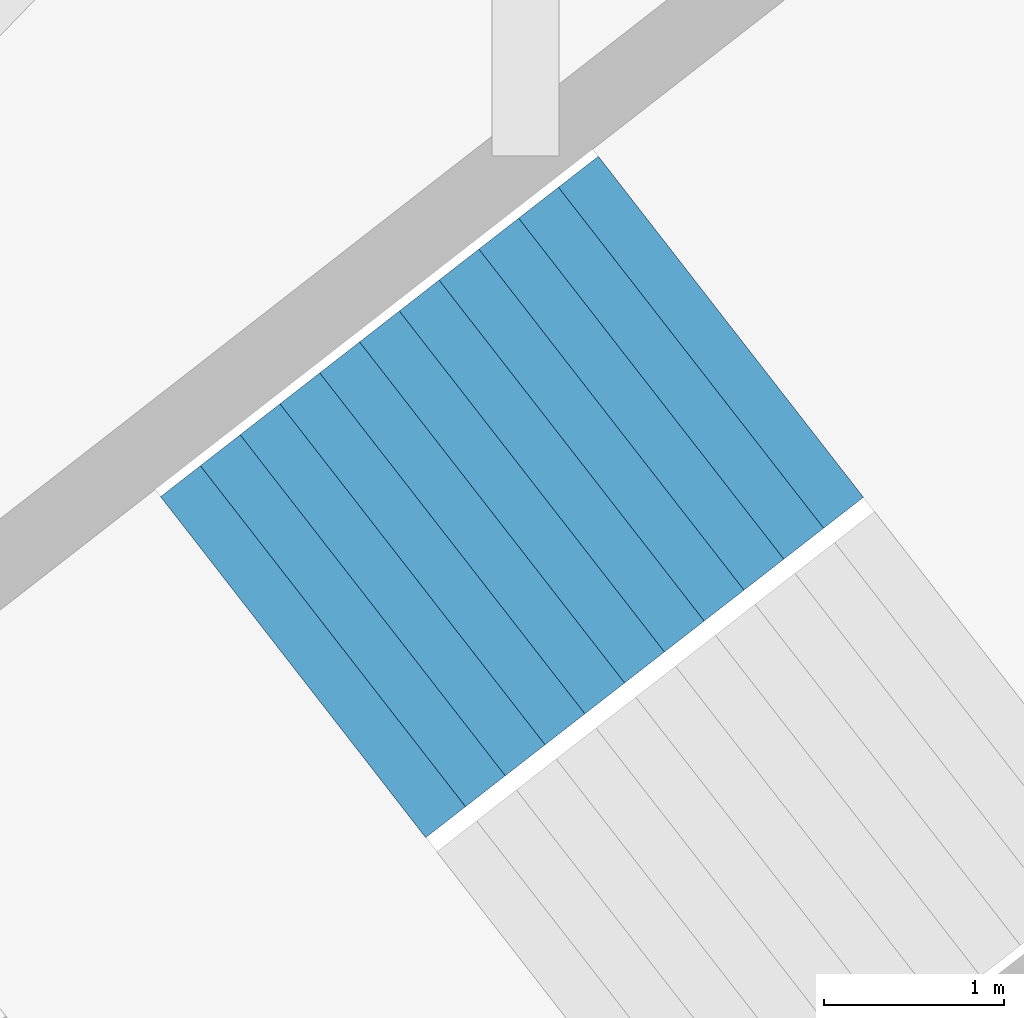
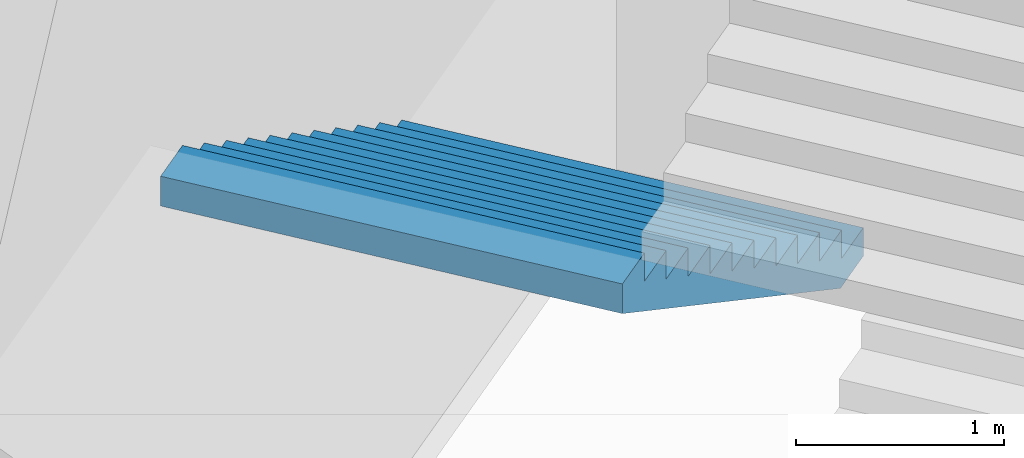
# One storey, part 64 of 74: 1 stair flight, 1 element without a shape of its own.
"""IFC4 building model written with IfcOpenShell, lengths in metres."""

from ifc_helpers import new_model, si_unit, direction, frame, origin, place, context, subcontext, project, spatial, triangles, material, type_object, element, aggregate, save


model = new_model("IFC4")

# Units and contexts
model_context = context("Model", 3, precision=1e-05, world=origin(), true_north=direction((0.0, 1.0)))
body_context = subcontext(model_context, "Body", "Model", "MODEL_VIEW")
ifc_project = project(units=[si_unit("LENGTHUNIT", "METRE"), si_unit("AREAUNIT", "SQUARE_METRE"), si_unit("VOLUMEUNIT", "CUBIC_METRE"), si_unit("PLANEANGLEUNIT", "RADIAN"), si_unit("MASSUNIT", "GRAM", prefix="KILO")], contexts=[model_context])

# Site, building, storey
site_placement = place(None, origin())
site = spatial("IfcSite", under=ifc_project, at=site_placement, CompositionType="ELEMENT")
building_placement = place(site_placement, origin())
building = spatial("IfcBuilding", under=site, at=building_placement, Name="Lantaw Convention Tower", CompositionType="ELEMENT")
storey_placement = place(building_placement, frame((0.0, 0.0, 6.5)))
storey = spatial("IfcBuildingStorey", under=building, at=storey_placement, Name="L01", CompositionType="ELEMENT", Elevation=6.5)

# Stair, stair flight
ifc_material = material(Name="Concrete C35/45", Category="concrete")
stair_type = type_object("IfcStairType", Name="Exit stair 2400 riser 166.67 in 4 flights", PredefinedType="HALF_TURN_STAIR", material=ifc_material)
stair_placement = place(storey_placement, origin())
stair = element("IfcStair", 1, at=stair_placement, inside=storey, type_object=stair_type, Name="Podium exit stair P3 L01", PredefinedType="HALF_TURN_STAIR")
stair_flight_type = type_object("IfcStairFlightType", Name="Stair flight 2400 riser 166.67", PredefinedType="STRAIGHT", material=ifc_material)
stair_flight_placement = place(storey_placement, frame((30.390869140625, 25.21875, 2.0), z_axis=(0.0, 0.0, 1.0), x_axis=(-0.789378829664, -0.613906396186, 0.0)))
stair_flight = element("IfcStairFlight", 2, at=stair_flight_placement, type_object=stair_flight_type, Name="P3 flight 2", NumberOfRisers=12, NumberOfTreads=11, PredefinedType="STRAIGHT", RiserHeight=0.166666667, TreadLength=0.28, context=body_context, shape_type="Tessellation", body=[
    triangles([(0.0, 1.199951171875, 0.0), (0.0, 1.199951171875, 0.166666667), (0.28, 1.199951171875, 0.0), (0.28, 1.199951171875, 0.166666667), (0.28, 1.199951171875, 0.333333334), (0.29307345806906726, 1.199951171875, 0.0), (0.29307345806906726, 1.199951171875, 0.333333334), (0.56, 1.199951171875, 0.15888484670522965), (0.56, 1.199951171875, 0.333333334), (0.56, 1.199951171875, 0.500000001), (0.8400000000000001, 1.199951171875, 0.3255515137052296), (0.8400000000000001, 1.199951171875, 0.500000001), (0.8400000000000001, 1.199951171875, 0.666666668), (1.12, 1.199951171875, 0.4922181807052296), (1.12, 1.199951171875, 0.666666668), (1.12, 1.199951171875, 0.833333335), (1.4000000000000001, 1.199951171875, 0.6588848477052296), (1.4000000000000001, 1.199951171875, 0.833333335), (1.4000000000000001, 1.199951171875, 1.000000002), (1.6800000000000002, 1.199951171875, 0.8255515147052296), (1.6800000000000002, 1.199951171875, 1.000000002), (1.6800000000000002, 1.199951171875, 1.166666669), (1.9600000000000002, 1.199951171875, 0.9922181817052296), (1.9600000000000002, 1.199951171875, 1.166666669), (1.9600000000000002, 1.199951171875, 1.333333336), (2.24, 1.199951171875, 1.1588848487052295), (2.24, 1.199951171875, 1.333333336), (2.24, 1.199951171875, 1.5000000029999998), (2.5200000000000005, 1.199951171875, 1.3255515157052296), (2.5200000000000005, 1.199951171875, 1.5000000029999998), (2.5200000000000005, 1.199951171875, 1.66666667), (2.8000000000000003, 1.199951171875, 1.4922181827052294), (2.8000000000000003, 1.199951171875, 1.66666667), (2.8000000000000003, 1.199951171875, 1.833333337), (3.08, 1.199951171875, 1.6588848497052293), (3.08, 1.199951171875, 1.833333337), (0.0, -1.199951171875, 0.0), (0.0, -1.199951171875, 0.166666667), (0.28, -1.199951171875, 0.0), (0.28, -1.199951171875, 0.166666667), (0.28, -1.199951171875, 0.333333334), (0.29307345806906726, -1.199951171875, 0.0), (0.29307345806906726, -1.199951171875, 0.333333334), (0.56, -1.199951171875, 0.15888484670522965), (0.56, -1.199951171875, 0.333333334), (0.56, -1.199951171875, 0.500000001), (0.8400000000000001, -1.199951171875, 0.3255515137052296), (0.8400000000000001, -1.199951171875, 0.500000001), (0.8400000000000001, -1.199951171875, 0.666666668), (1.12, -1.199951171875, 0.4922181807052296), (1.12, -1.199951171875, 0.666666668), (1.12, -1.199951171875, 0.833333335), (1.4000000000000001, -1.199951171875, 0.6588848477052296), (1.4000000000000001, -1.199951171875, 0.833333335), (1.4000000000000001, -1.199951171875, 1.000000002), (1.6800000000000002, -1.199951171875, 0.8255515147052296), (1.6800000000000002, -1.199951171875, 1.000000002), (1.6800000000000002, -1.199951171875, 1.166666669), (1.9600000000000002, -1.199951171875, 0.9922181817052296), (1.9600000000000002, -1.199951171875, 1.166666669), (1.9600000000000002, -1.199951171875, 1.333333336), (2.24, -1.199951171875, 1.1588848487052295), (2.24, -1.199951171875, 1.333333336), (2.24, -1.199951171875, 1.5000000029999998), (2.5200000000000005, -1.199951171875, 1.3255515157052296), (2.5200000000000005, -1.199951171875, 1.5000000029999998), (2.5200000000000005, -1.199951171875, 1.66666667), (2.8000000000000003, -1.199951171875, 1.4922181827052294), (2.8000000000000003, -1.199951171875, 1.66666667), (2.8000000000000003, -1.199951171875, 1.833333337), (3.08, -1.199951171875, 1.6588848497052293), (3.08, -1.199951171875, 1.833333337), (0.0, 0.239990234375, 0.166666667), (0.0, 0.239990234375, 0.0), (0.0, 0.1199951171875, 0.166666667), (0.0, 0.1199951171875, 0.0), (0.0, 0.0, 0.166666667), (0.0, 0.0, 0.0), (0.0, -0.1199951171875, 0.166666667), (0.0, -0.1199951171875, 0.0), (0.0, -0.239990234375, 0.166666667), (0.0, -0.239990234375, 0.0), (0.28, 0.239990234375, 0.333333334), (0.28, 0.239990234375, 0.166666667), (0.28, 0.1199951171875, 0.333333334), (0.28, 0.1199951171875, 0.166666667), (0.28, 0.0, 0.333333334), (0.28, 0.0, 0.166666667), (0.28, -0.1199951171875, 0.333333334), (0.28, -0.1199951171875, 0.166666667), (0.28, -0.239990234375, 0.333333334), (0.28, -0.239990234375, 0.166666667), (0.56, 0.239990234375, 0.500000001), (0.56, 0.239990234375, 0.333333334), (0.56, 0.1199951171875, 0.500000001), (0.56, 0.1199951171875, 0.333333334), (0.56, 0.0, 0.500000001), (0.56, 0.0, 0.333333334), (0.56, -0.1199951171875, 0.500000001), (0.56, -0.1199951171875, 0.333333334), (0.56, -0.239990234375, 0.500000001), (0.56, -0.239990234375, 0.333333334), (0.8400000000000001, 0.239990234375, 0.666666668), (0.8400000000000001, 0.239990234375, 0.500000001), (0.8400000000000001, 0.1199951171875, 0.666666668), (0.8400000000000001, 0.1199951171875, 0.500000001), (0.8400000000000001, 0.0, 0.666666668), (0.8400000000000001, 0.0, 0.500000001), (0.8400000000000001, -0.1199951171875, 0.666666668), (0.8400000000000001, -0.1199951171875, 0.500000001), (0.8400000000000001, -0.239990234375, 0.666666668), (0.8400000000000001, -0.239990234375, 0.500000001), (1.12, 0.239990234375, 0.833333335), (1.12, 0.239990234375, 0.666666668), (1.12, 0.1199951171875, 0.833333335), (1.12, 0.1199951171875, 0.666666668), (1.12, 0.0, 0.833333335), (1.12, 0.0, 0.666666668), (1.12, -0.1199951171875, 0.833333335), (1.12, -0.1199951171875, 0.666666668), (1.12, -0.239990234375, 0.833333335), (1.12, -0.239990234375, 0.666666668), (1.4000000000000001, 0.239990234375, 1.000000002), (1.4000000000000001, 0.239990234375, 0.833333335), (1.4000000000000001, 0.1199951171875, 1.000000002), (1.4000000000000001, 0.1199951171875, 0.833333335), (1.4000000000000001, 0.0, 1.000000002), (1.4000000000000001, 0.0, 0.833333335), (1.4000000000000001, -0.1199951171875, 1.000000002), (1.4000000000000001, -0.1199951171875, 0.833333335), (1.4000000000000001, -0.239990234375, 1.000000002), (1.4000000000000001, -0.239990234375, 0.833333335), (1.6800000000000002, 0.239990234375, 1.166666669), (1.6800000000000002, 0.239990234375, 1.000000002), (1.6800000000000002, 0.1199951171875, 1.166666669), (1.6800000000000002, 0.1199951171875, 1.000000002), (1.6800000000000002, 0.0, 1.166666669), (1.6800000000000002, 0.0, 1.000000002), (1.6800000000000002, -0.1199951171875, 1.166666669), (1.6800000000000002, -0.1199951171875, 1.000000002), (1.6800000000000002, -0.239990234375, 1.166666669), (1.6800000000000002, -0.239990234375, 1.000000002), (1.9600000000000002, 0.239990234375, 1.333333336), (1.9600000000000002, 0.239990234375, 1.166666669), (1.9600000000000002, 0.1199951171875, 1.333333336), (1.9600000000000002, 0.1199951171875, 1.166666669), (1.9600000000000002, 0.0, 1.333333336), (1.9600000000000002, 0.0, 1.166666669), (1.9600000000000002, -0.1199951171875, 1.333333336), (1.9600000000000002, -0.1199951171875, 1.166666669), (1.9600000000000002, -0.239990234375, 1.333333336), (1.9600000000000002, -0.239990234375, 1.166666669), (2.24, 0.239990234375, 1.5000000029999998), (2.24, 0.239990234375, 1.333333336), (2.24, 0.1199951171875, 1.5000000029999998), (2.24, 0.1199951171875, 1.333333336), (2.24, 0.0, 1.5000000029999998), (2.24, 0.0, 1.333333336), (2.24, -0.1199951171875, 1.5000000029999998), (2.24, -0.1199951171875, 1.333333336), (2.24, -0.239990234375, 1.5000000029999998), (2.24, -0.239990234375, 1.333333336), (2.5200000000000005, 0.239990234375, 1.66666667), (2.5200000000000005, 0.239990234375, 1.5000000029999998), (2.5200000000000005, 0.1199951171875, 1.66666667), (2.5200000000000005, 0.1199951171875, 1.5000000029999998), (2.5200000000000005, 0.0, 1.66666667), (2.5200000000000005, 0.0, 1.5000000029999998), (2.5200000000000005, -0.1199951171875, 1.66666667), (2.5200000000000005, -0.1199951171875, 1.5000000029999998), (2.5200000000000005, -0.239990234375, 1.66666667), (2.5200000000000005, -0.239990234375, 1.5000000029999998), (2.8000000000000003, 0.239990234375, 1.833333337), (2.8000000000000003, 0.239990234375, 1.66666667), (2.8000000000000003, 0.1199951171875, 1.833333337), (2.8000000000000003, 0.1199951171875, 1.66666667), (2.8000000000000003, 0.0, 1.833333337), (2.8000000000000003, 0.0, 1.66666667), (2.8000000000000003, -0.1199951171875, 1.833333337), (2.8000000000000003, -0.1199951171875, 1.66666667), (2.8000000000000003, -0.239990234375, 1.833333337), (2.8000000000000003, -0.239990234375, 1.66666667), (0.29307345806906726, 0.239990234375, 0.333333334), (0.29307345806906726, 0.1199951171875, 0.333333334), (0.29307345806906726, 0.0, 0.333333334), (0.29307345806906726, -0.1199951171875, 0.333333334), (0.29307345806906726, -0.239990234375, 0.333333334), (3.08, 0.239990234375, 1.833333337), (3.08, 0.1199951171875, 1.833333337), (3.08, 0.0, 1.833333337), (3.08, -0.1199951171875, 1.833333337), (3.08, -0.239990234375, 1.833333337), (3.08, 0.239990234375, 1.6588848497052293), (3.08, 0.1199951171875, 1.6588848497052293), (3.08, 0.0, 1.6588848497052293), (3.08, -0.1199951171875, 1.6588848497052293), (3.08, -0.239990234375, 1.6588848497052293), (2.8000000000000003, 0.239990234375, 1.4922181827052294), (2.8000000000000003, 0.1199951171875, 1.4922181827052294), (2.8000000000000003, 0.0, 1.4922181827052294), (2.8000000000000003, -0.1199951171875, 1.4922181827052294), (2.8000000000000003, -0.239990234375, 1.4922181827052294), (2.5200000000000005, 0.239990234375, 1.3255515157052296), (2.5200000000000005, 0.1199951171875, 1.3255515157052296), (2.5200000000000005, 0.0, 1.3255515157052296), (2.5200000000000005, -0.1199951171875, 1.3255515157052296), (2.5200000000000005, -0.239990234375, 1.3255515157052296), (2.24, 0.239990234375, 1.1588848487052295), (2.24, 0.1199951171875, 1.1588848487052295), (2.24, 0.0, 1.1588848487052295), (2.24, -0.1199951171875, 1.1588848487052295), (2.24, -0.239990234375, 1.1588848487052295), (1.9600000000000002, 0.239990234375, 0.9922181817052296), (1.9600000000000002, 0.1199951171875, 0.9922181817052296), (1.9600000000000002, 0.0, 0.9922181817052296), (1.9600000000000002, -0.1199951171875, 0.9922181817052296), (1.9600000000000002, -0.239990234375, 0.9922181817052296), (1.6800000000000002, 0.239990234375, 0.8255515147052296), (1.6800000000000002, 0.1199951171875, 0.8255515147052296), (1.6800000000000002, 0.0, 0.8255515147052296), (1.6800000000000002, -0.1199951171875, 0.8255515147052296), (1.6800000000000002, -0.239990234375, 0.8255515147052296), (1.4000000000000001, 0.239990234375, 0.6588848477052296), (1.4000000000000001, 0.1199951171875, 0.6588848477052296), (1.4000000000000001, 0.0, 0.6588848477052296), (1.4000000000000001, -0.1199951171875, 0.6588848477052296), (1.4000000000000001, -0.239990234375, 0.6588848477052296), (1.12, 0.239990234375, 0.4922181807052296), (1.12, 0.1199951171875, 0.4922181807052296), (1.12, 0.0, 0.4922181807052296), (1.12, -0.1199951171875, 0.4922181807052296), (1.12, -0.239990234375, 0.4922181807052296), (0.8400000000000001, 0.239990234375, 0.3255515137052296), (0.8400000000000001, 0.1199951171875, 0.3255515137052296), (0.8400000000000001, 0.0, 0.3255515137052296), (0.8400000000000001, -0.1199951171875, 0.3255515137052296), (0.8400000000000001, -0.239990234375, 0.3255515137052296), (0.56, 0.239990234375, 0.15888484670522965), (0.56, 0.1199951171875, 0.15888484670522965), (0.56, 0.0, 0.15888484670522965), (0.56, -0.1199951171875, 0.15888484670522965), (0.56, -0.239990234375, 0.15888484670522965), (0.29307345806906726, 0.239990234375, 0.0), (0.29307345806906726, 0.1199951171875, 0.0), (0.29307345806906726, 0.0, 0.0), (0.29307345806906726, -0.1199951171875, 0.0), (0.29307345806906726, -0.239990234375, 0.0), (0.28, 0.239990234375, 0.0), (0.28, 0.1199951171875, 0.0), (0.28, 0.0, 0.0), (0.28, -0.1199951171875, 0.0), (0.28, -0.239990234375, 0.0)], [[1, 4, 3], [1, 2, 4], [3, 4, 6], [4, 7, 6], [4, 5, 7], [6, 9, 8], [6, 7, 9], [8, 9, 11], [9, 12, 11], [9, 10, 12], [11, 12, 14], [12, 15, 14], [12, 13, 15], [14, 15, 17], [15, 18, 17], [15, 16, 18], [17, 18, 20], [18, 21, 20], [18, 19, 21], [20, 21, 23], [21, 24, 23], [21, 22, 24], [23, 24, 26], [24, 27, 26], [24, 25, 27], [26, 27, 29], [27, 30, 29], [27, 28, 30], [29, 30, 32], [30, 33, 32], [30, 31, 33], [32, 33, 35], [33, 36, 35], [33, 34, 36], [37, 39, 40], [37, 40, 38], [39, 42, 40], [40, 42, 43], [40, 43, 41], [42, 44, 45], [42, 45, 43], [44, 47, 45], [45, 47, 48], [45, 48, 46], [47, 50, 48], [48, 50, 51], [48, 51, 49], [50, 53, 51], [51, 53, 54], [51, 54, 52], [53, 56, 54], [54, 56, 57], [54, 57, 55], [56, 59, 57], [57, 59, 60], [57, 60, 58], [59, 62, 60], [60, 62, 63], [60, 63, 61], [62, 65, 63], [63, 65, 66], [63, 66, 64], [65, 68, 66], [66, 68, 69], [66, 69, 67], [68, 71, 69], [69, 71, 72], [69, 72, 70], [1, 73, 2], [1, 74, 73], [74, 75, 73], [74, 76, 75], [76, 77, 75], [76, 78, 77], [78, 79, 77], [78, 80, 79], [80, 81, 79], [80, 82, 81], [82, 38, 81], [82, 37, 38], [4, 83, 5], [4, 84, 83], [84, 85, 83], [84, 86, 85], [86, 87, 85], [86, 88, 87], [88, 89, 87], [88, 90, 89], [90, 91, 89], [90, 92, 91], [92, 41, 91], [92, 40, 41], [9, 93, 10], [9, 94, 93], [94, 95, 93], [94, 96, 95], [96, 97, 95], [96, 98, 97], [98, 99, 97], [98, 100, 99], [100, 101, 99], [100, 102, 101], [102, 46, 101], [102, 45, 46], [12, 103, 13], [12, 104, 103], [104, 105, 103], [104, 106, 105], [106, 107, 105], [106, 108, 107], [108, 109, 107], [108, 110, 109], [110, 111, 109], [110, 112, 111], [112, 49, 111], [112, 48, 49], [15, 113, 16], [15, 114, 113], [114, 115, 113], [114, 116, 115], [116, 117, 115], [116, 118, 117], [118, 119, 117], [118, 120, 119], [120, 121, 119], [120, 122, 121], [122, 52, 121], [122, 51, 52], [18, 123, 19], [18, 124, 123], [124, 125, 123], [124, 126, 125], [126, 127, 125], [126, 128, 127], [128, 129, 127], [128, 130, 129], [130, 131, 129], [130, 132, 131], [132, 55, 131], [132, 54, 55], [21, 133, 22], [21, 134, 133], [134, 135, 133], [134, 136, 135], [136, 137, 135], [136, 138, 137], [138, 139, 137], [138, 140, 139], [140, 141, 139], [140, 142, 141], [142, 58, 141], [142, 57, 58], [24, 143, 25], [24, 144, 143], [144, 145, 143], [144, 146, 145], [146, 147, 145], [146, 148, 147], [148, 149, 147], [148, 150, 149], [150, 151, 149], [150, 152, 151], [152, 61, 151], [152, 60, 61], [27, 153, 28], [27, 154, 153], [154, 155, 153], [154, 156, 155], [156, 157, 155], [156, 158, 157], [158, 159, 157], [158, 160, 159], [160, 161, 159], [160, 162, 161], [162, 64, 161], [162, 63, 64], [30, 163, 31], [30, 164, 163], [164, 165, 163], [164, 166, 165], [166, 167, 165], [166, 168, 167], [168, 169, 167], [168, 170, 169], [170, 171, 169], [170, 172, 171], [172, 67, 171], [172, 66, 67], [33, 173, 34], [33, 174, 173], [174, 175, 173], [174, 176, 175], [176, 177, 175], [176, 178, 177], [178, 179, 177], [178, 180, 179], [180, 181, 179], [180, 182, 181], [182, 70, 181], [182, 69, 70], [2, 84, 4], [2, 73, 84], [73, 86, 84], [73, 75, 86], [75, 88, 86], [75, 77, 88], [77, 90, 88], [77, 79, 90], [79, 92, 90], [79, 81, 92], [81, 40, 92], [81, 38, 40], [5, 183, 7], [5, 83, 183], [83, 184, 183], [83, 85, 184], [85, 185, 184], [85, 87, 185], [87, 186, 185], [87, 89, 186], [89, 187, 186], [89, 91, 187], [91, 43, 187], [91, 41, 43], [7, 94, 9], [7, 183, 94], [183, 96, 94], [183, 184, 96], [184, 98, 96], [184, 185, 98], [185, 100, 98], [185, 186, 100], [186, 102, 100], [186, 187, 102], [187, 45, 102], [187, 43, 45], [10, 104, 12], [10, 93, 104], [93, 106, 104], [93, 95, 106], [95, 108, 106], [95, 97, 108], [97, 110, 108], [97, 99, 110], [99, 112, 110], [99, 101, 112], [101, 48, 112], [101, 46, 48], [13, 114, 15], [13, 103, 114], [103, 116, 114], [103, 105, 116], [105, 118, 116], [105, 107, 118], [107, 120, 118], [107, 109, 120], [109, 122, 120], [109, 111, 122], [111, 51, 122], [111, 49, 51], [16, 124, 18], [16, 113, 124], [113, 126, 124], [113, 115, 126], [115, 128, 126], [115, 117, 128], [117, 130, 128], [117, 119, 130], [119, 132, 130], [119, 121, 132], [121, 54, 132], [121, 52, 54], [19, 134, 21], [19, 123, 134], [123, 136, 134], [123, 125, 136], [125, 138, 136], [125, 127, 138], [127, 140, 138], [127, 129, 140], [129, 142, 140], [129, 131, 142], [131, 57, 142], [131, 55, 57], [22, 144, 24], [22, 133, 144], [133, 146, 144], [133, 135, 146], [135, 148, 146], [135, 137, 148], [137, 150, 148], [137, 139, 150], [139, 152, 150], [139, 141, 152], [141, 60, 152], [141, 58, 60], [25, 154, 27], [25, 143, 154], [143, 156, 154], [143, 145, 156], [145, 158, 156], [145, 147, 158], [147, 160, 158], [147, 149, 160], [149, 162, 160], [149, 151, 162], [151, 63, 162], [151, 61, 63], [28, 164, 30], [28, 153, 164], [153, 166, 164], [153, 155, 166], [155, 168, 166], [155, 157, 168], [157, 170, 168], [157, 159, 170], [159, 172, 170], [159, 161, 172], [161, 66, 172], [161, 64, 66], [31, 174, 33], [31, 163, 174], [163, 176, 174], [163, 165, 176], [165, 178, 176], [165, 167, 178], [167, 180, 178], [167, 169, 180], [169, 182, 180], [169, 171, 182], [171, 69, 182], [171, 67, 69], [34, 188, 36], [34, 173, 188], [173, 189, 188], [173, 175, 189], [175, 190, 189], [175, 177, 190], [177, 191, 190], [177, 179, 191], [179, 192, 191], [179, 181, 192], [181, 72, 192], [181, 70, 72], [36, 193, 35], [36, 188, 193], [188, 194, 193], [188, 189, 194], [189, 195, 194], [189, 190, 195], [190, 196, 195], [190, 191, 196], [191, 197, 196], [191, 192, 197], [192, 71, 197], [192, 72, 71], [35, 198, 32], [35, 193, 198], [193, 199, 198], [193, 194, 199], [194, 200, 199], [194, 195, 200], [195, 201, 200], [195, 196, 201], [196, 202, 201], [196, 197, 202], [197, 68, 202], [197, 71, 68], [32, 203, 29], [32, 198, 203], [198, 204, 203], [198, 199, 204], [199, 205, 204], [199, 200, 205], [200, 206, 205], [200, 201, 206], [201, 207, 206], [201, 202, 207], [202, 65, 207], [202, 68, 65], [29, 208, 26], [29, 203, 208], [203, 209, 208], [203, 204, 209], [204, 210, 209], [204, 205, 210], [205, 211, 210], [205, 206, 211], [206, 212, 211], [206, 207, 212], [207, 62, 212], [207, 65, 62], [26, 213, 23], [26, 208, 213], [208, 214, 213], [208, 209, 214], [209, 215, 214], [209, 210, 215], [210, 216, 215], [210, 211, 216], [211, 217, 216], [211, 212, 217], [212, 59, 217], [212, 62, 59], [23, 218, 20], [23, 213, 218], [213, 219, 218], [213, 214, 219], [214, 220, 219], [214, 215, 220], [215, 221, 220], [215, 216, 221], [216, 222, 221], [216, 217, 222], [217, 56, 222], [217, 59, 56], [20, 223, 17], [20, 218, 223], [218, 224, 223], [218, 219, 224], [219, 225, 224], [219, 220, 225], [220, 226, 225], [220, 221, 226], [221, 227, 226], [221, 222, 227], [222, 53, 227], [222, 56, 53], [17, 228, 14], [17, 223, 228], [223, 229, 228], [223, 224, 229], [224, 230, 229], [224, 225, 230], [225, 231, 230], [225, 226, 231], [226, 232, 231], [226, 227, 232], [227, 50, 232], [227, 53, 50], [14, 233, 11], [14, 228, 233], [228, 234, 233], [228, 229, 234], [229, 235, 234], [229, 230, 235], [230, 236, 235], [230, 231, 236], [231, 237, 236], [231, 232, 237], [232, 47, 237], [232, 50, 47], [11, 238, 8], [11, 233, 238], [233, 239, 238], [233, 234, 239], [234, 240, 239], [234, 235, 240], [235, 241, 240], [235, 236, 241], [236, 242, 241], [236, 237, 242], [237, 44, 242], [237, 47, 44], [8, 243, 6], [8, 238, 243], [238, 244, 243], [238, 239, 244], [239, 245, 244], [239, 240, 245], [240, 246, 245], [240, 241, 246], [241, 247, 246], [241, 242, 247], [242, 42, 247], [242, 44, 42], [6, 248, 3], [6, 243, 248], [243, 249, 248], [243, 244, 249], [244, 250, 249], [244, 245, 250], [245, 251, 250], [245, 246, 251], [246, 252, 251], [246, 247, 252], [247, 39, 252], [247, 42, 39], [3, 74, 1], [3, 248, 74], [248, 76, 74], [248, 249, 76], [249, 78, 76], [249, 250, 78], [250, 80, 78], [250, 251, 80], [251, 82, 80], [251, 252, 82], [252, 37, 82], [252, 39, 37]], closed=True),
])
aggregate(stair, [stair_flight])

save(model, "model.ifc")
